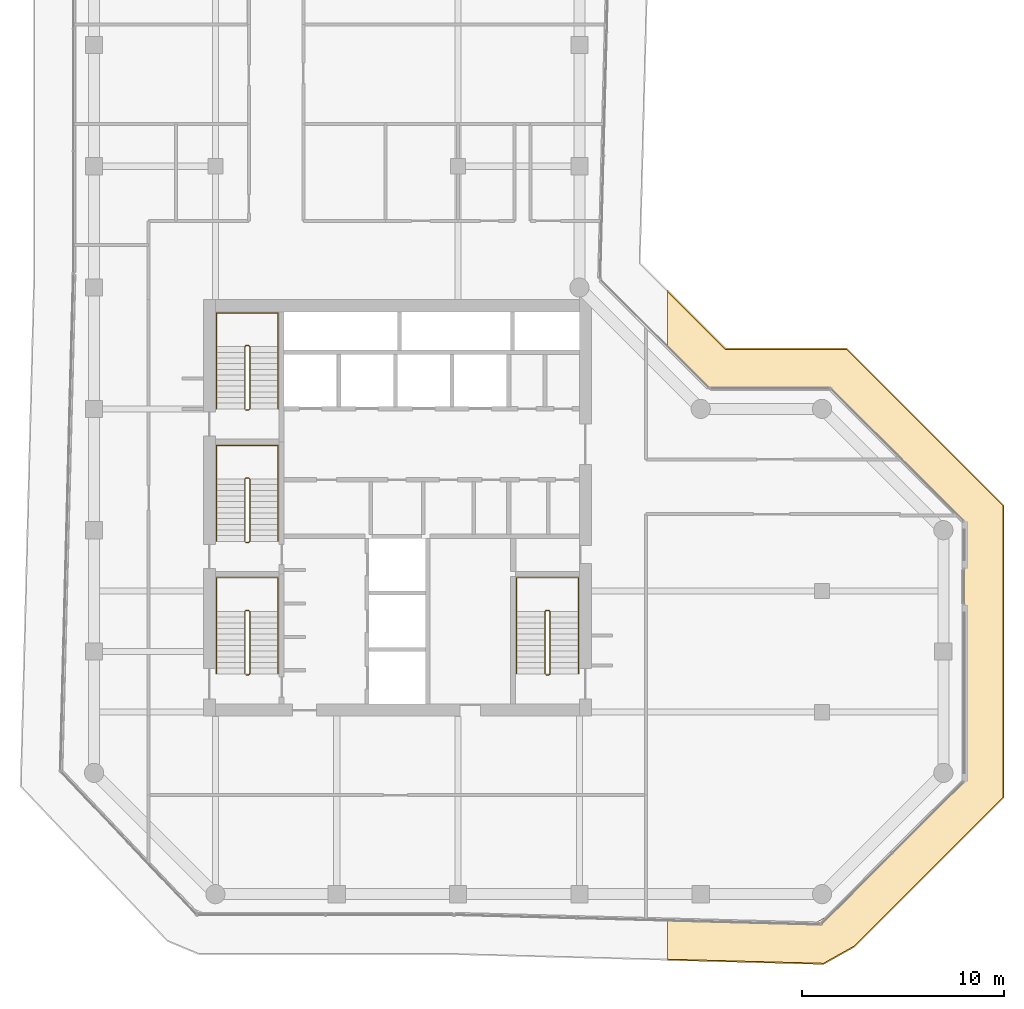
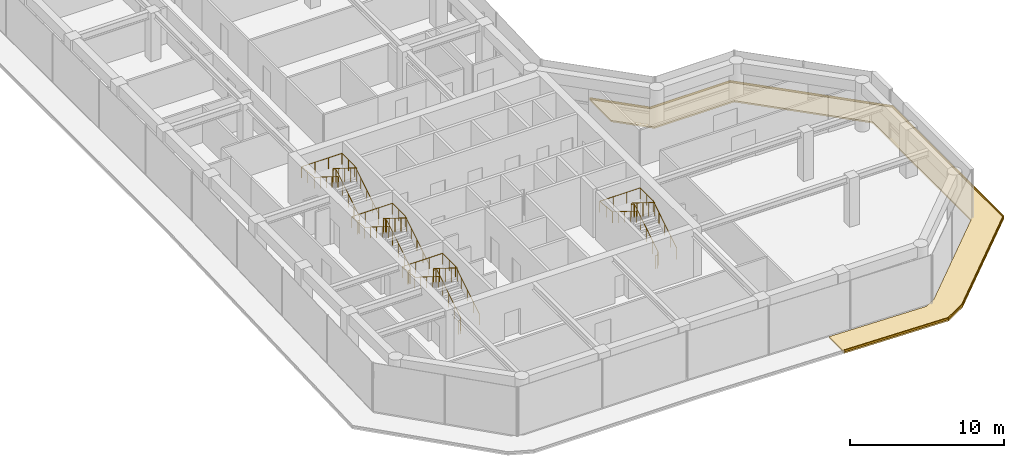
# One storey, part 18 of 19: 8 railings, 2 coverings.
"""IFC4 building model written with IfcOpenShell, lengths in metres."""

from ifc_helpers import new_model, si_unit, direction, frame, origin, origin_2d, place, context, subcontext, project, spatial, polyline, circle, outline, extrude, material, layer, layer_set, type_object, element, save


model = new_model("IFC4")

# Units and contexts
model_context = context("Model", 3, precision=1e-05, world=origin(), true_north=direction((0.0, 1.0)))
body_context = subcontext(model_context, "Body", "Model", "MODEL_VIEW")
ifc_project = project(units=[si_unit("LENGTHUNIT", "METRE"), si_unit("AREAUNIT", "SQUARE_METRE"), si_unit("VOLUMEUNIT", "CUBIC_METRE"), si_unit("PLANEANGLEUNIT", "RADIAN"), si_unit("MASSUNIT", "GRAM", prefix="KILO")], contexts=[model_context])

# Site, building, storey
site_placement = place(None, origin())
site = spatial("IfcSite", under=ifc_project, at=site_placement, CompositionType="ELEMENT")
building_placement = place(site_placement, origin())
building = spatial("IfcBuilding", under=site, at=building_placement, Name="Welwitschia Terrace Campus", CompositionType="ELEMENT")
storey_placement = place(building_placement, frame((0.0, 0.0, 163.39990234375)))
storey = spatial("IfcBuildingStorey", under=building, at=storey_placement, Name="L36", CompositionType="ELEMENT", Elevation=163.39990234375)

# Railings
ifc_material_1 = material(Name="Steel S355", Category="steel")
railing_type_1 = type_object("IfcRailingType", Name="Stair guard 1100", PredefinedType="GUARDRAIL", material=ifc_material_1)
railing_1_placement = place(storey_placement, frame((7.5, 6.85009765625, 0.0)))
element("IfcRailing", 1, at=railing_1_placement, inside=storey, type_object=railing_type_1, Name="L36 S1 stair guard", PredefinedType="GUARDRAIL", context=body_context, shape_type="SweptSolid", body=[
    extrude(circle(Radius=0.02392578125, at=origin_2d()), frame((0.0, 0.0, 1.076171875), z_axis=(1.0, 0.0, 0.0), x_axis=(0.0, 1.0, 0.0)), (0.0, 0.0, 1.0), 0.14990234375),
    extrude(circle(Radius=0.02392578125, at=origin_2d()), frame((0.14990234375, 0.0, 1.076171875), z_axis=(0.265155923931, 0.263862480399, 0.927399011991), x_axis=(-0.705375805398, 0.708833529934, 0.0)), (0.0, 0.0, 1.0), 0.188720703125),
    extrude(circle(Radius=0.02392578125, at=origin_2d()), frame((0.199951171875, 0.0498046875, 1.2509765625), z_axis=(0.0, 0.847998304005, 0.529998940003), x_axis=(-1.0, 0.0, 0.0)), (0.0, 0.0, 1.0), 3.632080078125),
    extrude(circle(Radius=0.02392578125, at=origin_2d()), frame((0.199951171875, 3.1298828125, 3.17626953125), z_axis=(-0.707106781187, 0.707106781187, 0.0), x_axis=(-0.707106781187, -0.707106781187, 0.0)), (0.0, 0.0, 1.0), 0.07080078125),
    extrude(circle(Radius=0.02392578125, at=origin_2d()), frame((0.14990234375, 3.179931640625, 3.17626953125), z_axis=(-1.0, 0.0, 0.0), x_axis=(0.0, -1.0, 0.0)), (0.0, 0.0, 1.0), 0.14990234375),
    extrude(circle(Radius=0.02392578125, at=origin_2d()), frame((0.0, 3.179931640625, 3.17626953125), z_axis=(-0.265065253269, -0.265065253269, 0.927081885822), x_axis=(0.707106781187, -0.707106781187, 0.0)), (0.0, 0.0, 1.0), 0.188720703125),
    extrude(circle(Radius=0.02392578125, at=origin_2d()), frame((-0.050048828125, 3.1298828125, 3.35107421875), z_axis=(0.0, -0.847998304005, 0.529998940003), x_axis=(1.0, 0.0, 0.0)), (0.0, 0.0, 1.0), 3.632080078125),
    extrude(circle(Radius=0.02099609375, at=origin_2d()), origin(), (0.0, 0.0, 1.0), 1.052001953125),
    extrude(circle(Radius=0.02099609375, at=origin_2d()), frame((0.14990234375, 0.0, 0.0)), (0.0, 0.0, 1.0), 1.052001953125),
    extrude(circle(Radius=0.02099609375, at=origin_2d()), frame((0.199951171875, 0.0498046875, 0.175048828125)), (0.0, 0.0, 1.0), 1.052001953125),
    extrude(circle(Radius=0.02099609375, at=origin_2d()), frame((0.199951171875, 0.81982421875, 0.65625)), (0.0, 0.0, 1.0), 1.052001953125),
    extrude(circle(Radius=0.02099609375, at=origin_2d()), frame((0.199951171875, 1.58984375, 1.1376953125)), (0.0, 0.0, 1.0), 1.052001953125),
    extrude(circle(Radius=0.02099609375, at=origin_2d()), frame((0.199951171875, 2.35986328125, 1.618896484375)), (0.0, 0.0, 1.0), 1.052001953125),
    extrude(circle(Radius=0.02099609375, at=origin_2d()), frame((0.199951171875, 3.1298828125, 2.10009765625)), (0.0, 0.0, 1.0), 1.052001953125),
    extrude(circle(Radius=0.02099609375, at=origin_2d()), frame((0.14990234375, 3.179931640625, 2.10009765625)), (0.0, 0.0, 1.0), 1.052001953125),
    extrude(circle(Radius=0.02099609375, at=origin_2d()), frame((0.0, 3.179931640625, 2.10009765625)), (0.0, 0.0, 1.0), 1.052001953125),
    extrude(circle(Radius=0.02099609375, at=origin_2d()), frame((-0.050048828125, 3.1298828125, 2.275146484375)), (0.0, 0.0, 1.0), 1.052001953125),
    extrude(circle(Radius=0.02099609375, at=origin_2d()), frame((-0.050048828125, 2.35986328125, 2.75634765625)), (0.0, 0.0, 1.0), 1.052001953125),
    extrude(circle(Radius=0.02099609375, at=origin_2d()), frame((-0.050048828125, 1.58984375, 3.23779296875)), (0.0, 0.0, 1.0), 1.052001953125),
    extrude(circle(Radius=0.02099609375, at=origin_2d()), frame((-0.050048828125, 0.81982421875, 3.718994140625)), (0.0, 0.0, 1.0), 1.052001953125),
    extrude(circle(Radius=0.02099609375, at=origin_2d()), frame((-0.050048828125, 0.0498046875, 4.2001953125)), (0.0, 0.0, 1.0), 1.052001953125),
])
railing_2_placement = place(storey_placement, frame((7.5, 13.39990234375, 0.0)))
element("IfcRailing", 2, at=railing_2_placement, inside=storey, type_object=railing_type_1, Name="L36 S3 stair guard", PredefinedType="GUARDRAIL", context=body_context, shape_type="SweptSolid", body=[
    extrude(circle(Radius=0.02392578125, at=origin_2d()), frame((0.0, 0.0, 1.076171875), z_axis=(1.0, 0.0, 0.0), x_axis=(0.0, 1.0, 0.0)), (0.0, 0.0, 1.0), 0.14990234375),
    extrude(circle(Radius=0.02392578125, at=origin_2d()), frame((0.14990234375, 0.0, 1.076171875), z_axis=(0.265065253269, 0.265065253269, 0.927081885822), x_axis=(-0.707106781187, 0.707106781187, 0.0)), (0.0, 0.0, 1.0), 0.188720703125),
    extrude(circle(Radius=0.02392578125, at=origin_2d()), frame((0.199951171875, 0.050048828125, 1.2509765625), z_axis=(0.0, 0.847998304005, 0.529998940003), x_axis=(-1.0, 0.0, 0.0)), (0.0, 0.0, 1.0), 3.632080078125),
    extrude(circle(Radius=0.02392578125, at=origin_2d()), frame((0.199951171875, 3.130126953125, 3.17626953125), z_axis=(-0.707106781187, 0.707106781187, 0.0), x_axis=(-0.707106781187, -0.707106781187, 0.0)), (0.0, 0.0, 1.0), 0.07080078125),
    extrude(circle(Radius=0.02392578125, at=origin_2d()), frame((0.14990234375, 3.18017578125, 3.17626953125), z_axis=(-1.0, 0.0, 0.0), x_axis=(0.0, -1.0, 0.0)), (0.0, 0.0, 1.0), 0.14990234375),
    extrude(circle(Radius=0.02392578125, at=origin_2d()), frame((0.0, 3.18017578125, 3.17626953125), z_axis=(-0.265065253269, -0.265065253269, 0.927081885822), x_axis=(0.707106781187, -0.707106781187, 0.0)), (0.0, 0.0, 1.0), 0.188720703125),
    extrude(circle(Radius=0.02392578125, at=origin_2d()), frame((-0.050048828125, 3.130126953125, 3.35107421875), z_axis=(0.0, -0.847998304005, 0.529998940003), x_axis=(1.0, 0.0, 0.0)), (0.0, 0.0, 1.0), 3.632080078125),
    extrude(circle(Radius=0.02099609375, at=origin_2d()), origin(), (0.0, 0.0, 1.0), 1.052001953125),
    extrude(circle(Radius=0.02099609375, at=origin_2d()), frame((0.14990234375, 0.0, 0.0)), (0.0, 0.0, 1.0), 1.052001953125),
    extrude(circle(Radius=0.02099609375, at=origin_2d()), frame((0.199951171875, 0.050048828125, 0.175048828125)), (0.0, 0.0, 1.0), 1.052001953125),
    extrude(circle(Radius=0.02099609375, at=origin_2d()), frame((0.199951171875, 0.820068359375, 0.65625)), (0.0, 0.0, 1.0), 1.052001953125),
    extrude(circle(Radius=0.02099609375, at=origin_2d()), frame((0.199951171875, 1.590087890625, 1.1376953125)), (0.0, 0.0, 1.0), 1.052001953125),
    extrude(circle(Radius=0.02099609375, at=origin_2d()), frame((0.199951171875, 2.360107421875, 1.618896484375)), (0.0, 0.0, 1.0), 1.052001953125),
    extrude(circle(Radius=0.02099609375, at=origin_2d()), frame((0.199951171875, 3.130126953125, 2.10009765625)), (0.0, 0.0, 1.0), 1.052001953125),
    extrude(circle(Radius=0.02099609375, at=origin_2d()), frame((0.14990234375, 3.18017578125, 2.10009765625)), (0.0, 0.0, 1.0), 1.052001953125),
    extrude(circle(Radius=0.02099609375, at=origin_2d()), frame((0.0, 3.18017578125, 2.10009765625)), (0.0, 0.0, 1.0), 1.052001953125),
    extrude(circle(Radius=0.02099609375, at=origin_2d()), frame((-0.050048828125, 3.130126953125, 2.275146484375)), (0.0, 0.0, 1.0), 1.052001953125),
    extrude(circle(Radius=0.02099609375, at=origin_2d()), frame((-0.050048828125, 2.360107421875, 2.75634765625)), (0.0, 0.0, 1.0), 1.052001953125),
    extrude(circle(Radius=0.02099609375, at=origin_2d()), frame((-0.050048828125, 1.590087890625, 3.23779296875)), (0.0, 0.0, 1.0), 1.052001953125),
    extrude(circle(Radius=0.02099609375, at=origin_2d()), frame((-0.050048828125, 0.820068359375, 3.718994140625)), (0.0, 0.0, 1.0), 1.052001953125),
    extrude(circle(Radius=0.02099609375, at=origin_2d()), frame((-0.050048828125, 0.050048828125, 4.2001953125)), (0.0, 0.0, 1.0), 1.052001953125),
])
railing_3_placement = place(storey_placement, frame((7.5, 19.949951171875, 0.0)))
element("IfcRailing", 3, at=railing_3_placement, inside=storey, type_object=railing_type_1, Name="L36 S4 stair guard", PredefinedType="GUARDRAIL", context=body_context, shape_type="SweptSolid", body=[
    extrude(circle(Radius=0.02392578125, at=origin_2d()), frame((0.0, 0.0, 1.076171875), z_axis=(1.0, 0.0, 0.0), x_axis=(0.0, 1.0, 0.0)), (0.0, 0.0, 1.0), 0.14990234375),
    extrude(circle(Radius=0.02392578125, at=origin_2d()), frame((0.14990234375, 0.0, 1.076171875), z_axis=(0.265065253269, 0.265065253269, 0.927081885822), x_axis=(-0.707106781187, 0.707106781187, 0.0)), (0.0, 0.0, 1.0), 0.188720703125),
    extrude(circle(Radius=0.02392578125, at=origin_2d()), frame((0.199951171875, 0.050048828125, 1.2509765625), z_axis=(0.0, 0.847998304005, 0.529998940003), x_axis=(-1.0, 0.0, 0.0)), (0.0, 0.0, 1.0), 3.632080078125),
    extrude(circle(Radius=0.02392578125, at=origin_2d()), frame((0.199951171875, 3.130126953125, 3.17626953125), z_axis=(-0.708833529934, 0.705375805398, 0.0), x_axis=(-0.705375805398, -0.708833529934, 0.0)), (0.0, 0.0, 1.0), 0.070556640625),
    extrude(circle(Radius=0.02392578125, at=origin_2d()), frame((0.14990234375, 3.179931640625, 3.17626953125), z_axis=(-1.0, 0.0, 0.0), x_axis=(0.0, -1.0, 0.0)), (0.0, 0.0, 1.0), 0.14990234375),
    extrude(circle(Radius=0.02392578125, at=origin_2d()), frame((0.0, 3.179931640625, 3.17626953125), z_axis=(-0.265155923931, -0.263862480399, 0.927399011991), x_axis=(0.705375805398, -0.708833529934, 0.0)), (0.0, 0.0, 1.0), 0.188720703125),
    extrude(circle(Radius=0.02392578125, at=origin_2d()), frame((-0.050048828125, 3.130126953125, 3.35107421875), z_axis=(0.0, -0.847998304005, 0.529998940003), x_axis=(1.0, 0.0, 0.0)), (0.0, 0.0, 1.0), 3.632080078125),
    extrude(circle(Radius=0.02099609375, at=origin_2d()), origin(), (0.0, 0.0, 1.0), 1.052001953125),
    extrude(circle(Radius=0.02099609375, at=origin_2d()), frame((0.14990234375, 0.0, 0.0)), (0.0, 0.0, 1.0), 1.052001953125),
    extrude(circle(Radius=0.02099609375, at=origin_2d()), frame((0.199951171875, 0.050048828125, 0.175048828125)), (0.0, 0.0, 1.0), 1.052001953125),
    extrude(circle(Radius=0.02099609375, at=origin_2d()), frame((0.199951171875, 0.820068359375, 0.65625)), (0.0, 0.0, 1.0), 1.052001953125),
    extrude(circle(Radius=0.02099609375, at=origin_2d()), frame((0.199951171875, 1.590087890625, 1.1376953125)), (0.0, 0.0, 1.0), 1.052001953125),
    extrude(circle(Radius=0.02099609375, at=origin_2d()), frame((0.199951171875, 2.360107421875, 1.618896484375)), (0.0, 0.0, 1.0), 1.052001953125),
    extrude(circle(Radius=0.02099609375, at=origin_2d()), frame((0.199951171875, 3.130126953125, 2.10009765625)), (0.0, 0.0, 1.0), 1.052001953125),
    extrude(circle(Radius=0.02099609375, at=origin_2d()), frame((0.14990234375, 3.179931640625, 2.10009765625)), (0.0, 0.0, 1.0), 1.052001953125),
    extrude(circle(Radius=0.02099609375, at=origin_2d()), frame((0.0, 3.179931640625, 2.10009765625)), (0.0, 0.0, 1.0), 1.052001953125),
    extrude(circle(Radius=0.02099609375, at=origin_2d()), frame((-0.050048828125, 3.130126953125, 2.275146484375)), (0.0, 0.0, 1.0), 1.052001953125),
    extrude(circle(Radius=0.02099609375, at=origin_2d()), frame((-0.050048828125, 2.360107421875, 2.75634765625)), (0.0, 0.0, 1.0), 1.052001953125),
    extrude(circle(Radius=0.02099609375, at=origin_2d()), frame((-0.050048828125, 1.590087890625, 3.23779296875)), (0.0, 0.0, 1.0), 1.052001953125),
    extrude(circle(Radius=0.02099609375, at=origin_2d()), frame((-0.050048828125, 0.820068359375, 3.718994140625)), (0.0, 0.0, 1.0), 1.052001953125),
    extrude(circle(Radius=0.02099609375, at=origin_2d()), frame((-0.050048828125, 0.050048828125, 4.2001953125)), (0.0, 0.0, 1.0), 1.052001953125),
])
railing_4_placement = place(storey_placement, frame((22.35009765625, 6.85009765625, 0.0)))
element("IfcRailing", 4, at=railing_4_placement, inside=storey, type_object=railing_type_1, Name="L36 S2 stair guard", PredefinedType="GUARDRAIL", context=body_context, shape_type="SweptSolid", body=[
    extrude(circle(Radius=0.02392578125, at=origin_2d()), frame((0.0, 0.0, 1.076171875), z_axis=(1.0, 0.0, 0.0), x_axis=(0.0, 1.0, 0.0)), (0.0, 0.0, 1.0), 0.14990234375),
    extrude(circle(Radius=0.02392578125, at=origin_2d()), frame((0.14990234375, 0.0, 1.076171875), z_axis=(0.265155923931, 0.263862480399, 0.927399011991), x_axis=(-0.705375805398, 0.708833529934, 0.0)), (0.0, 0.0, 1.0), 0.188720703125),
    extrude(circle(Radius=0.02392578125, at=origin_2d()), frame((0.199951171875, 0.0498046875, 1.2509765625), z_axis=(0.0, 0.847998304005, 0.529998940003), x_axis=(-1.0, 0.0, 0.0)), (0.0, 0.0, 1.0), 3.632080078125),
    extrude(circle(Radius=0.02392578125, at=origin_2d()), frame((0.199951171875, 3.1298828125, 3.17626953125), z_axis=(-0.707106781187, 0.707106781187, 0.0), x_axis=(-0.707106781187, -0.707106781187, 0.0)), (0.0, 0.0, 1.0), 0.07080078125),
    extrude(circle(Radius=0.02392578125, at=origin_2d()), frame((0.14990234375, 3.179931640625, 3.17626953125), z_axis=(-1.0, 0.0, 0.0), x_axis=(0.0, -1.0, 0.0)), (0.0, 0.0, 1.0), 0.14990234375),
    extrude(circle(Radius=0.02392578125, at=origin_2d()), frame((0.0, 3.179931640625, 3.17626953125), z_axis=(-0.265065253269, -0.265065253269, 0.927081885822), x_axis=(0.707106781187, -0.707106781187, 0.0)), (0.0, 0.0, 1.0), 0.188720703125),
    extrude(circle(Radius=0.02392578125, at=origin_2d()), frame((-0.050048828125, 3.1298828125, 3.35107421875), z_axis=(0.0, -0.847998304005, 0.529998940003), x_axis=(1.0, 0.0, 0.0)), (0.0, 0.0, 1.0), 3.632080078125),
    extrude(circle(Radius=0.02099609375, at=origin_2d()), origin(), (0.0, 0.0, 1.0), 1.052001953125),
    extrude(circle(Radius=0.02099609375, at=origin_2d()), frame((0.14990234375, 0.0, 0.0)), (0.0, 0.0, 1.0), 1.052001953125),
    extrude(circle(Radius=0.02099609375, at=origin_2d()), frame((0.199951171875, 0.0498046875, 0.175048828125)), (0.0, 0.0, 1.0), 1.052001953125),
    extrude(circle(Radius=0.02099609375, at=origin_2d()), frame((0.199951171875, 0.81982421875, 0.65625)), (0.0, 0.0, 1.0), 1.052001953125),
    extrude(circle(Radius=0.02099609375, at=origin_2d()), frame((0.199951171875, 1.58984375, 1.1376953125)), (0.0, 0.0, 1.0), 1.052001953125),
    extrude(circle(Radius=0.02099609375, at=origin_2d()), frame((0.199951171875, 2.35986328125, 1.618896484375)), (0.0, 0.0, 1.0), 1.052001953125),
    extrude(circle(Radius=0.02099609375, at=origin_2d()), frame((0.199951171875, 3.1298828125, 2.10009765625)), (0.0, 0.0, 1.0), 1.052001953125),
    extrude(circle(Radius=0.02099609375, at=origin_2d()), frame((0.14990234375, 3.179931640625, 2.10009765625)), (0.0, 0.0, 1.0), 1.052001953125),
    extrude(circle(Radius=0.02099609375, at=origin_2d()), frame((0.0, 3.179931640625, 2.10009765625)), (0.0, 0.0, 1.0), 1.052001953125),
    extrude(circle(Radius=0.02099609375, at=origin_2d()), frame((-0.050048828125, 3.1298828125, 2.275146484375)), (0.0, 0.0, 1.0), 1.052001953125),
    extrude(circle(Radius=0.02099609375, at=origin_2d()), frame((-0.050048828125, 2.35986328125, 2.75634765625)), (0.0, 0.0, 1.0), 1.052001953125),
    extrude(circle(Radius=0.02099609375, at=origin_2d()), frame((-0.050048828125, 1.58984375, 3.23779296875)), (0.0, 0.0, 1.0), 1.052001953125),
    extrude(circle(Radius=0.02099609375, at=origin_2d()), frame((-0.050048828125, 0.81982421875, 3.718994140625)), (0.0, 0.0, 1.0), 1.052001953125),
    extrude(circle(Radius=0.02099609375, at=origin_2d()), frame((-0.050048828125, 0.0498046875, 4.2001953125)), (0.0, 0.0, 1.0), 1.052001953125),
])
ifc_material_2 = material(Name="Steel S355", Category="steel")
railing_type_2 = type_object("IfcRailingType", Name="Stair handrail 900", PredefinedType="HANDRAIL", material=ifc_material_2)
railing_5_placement = place(storey_placement, frame((9.10009765625, 6.89990234375, 0.175048828125)))
element("IfcRailing", 5, at=railing_5_placement, inside=storey, type_object=railing_type_2, Name="L36 S1 stair handrail", PredefinedType="HANDRAIL", context=body_context, shape_type="SweptSolid", body=[
    extrude(circle(Radius=0.02392578125, at=origin_2d()), frame((0.0, 0.0, 0.8759765625), z_axis=(0.0, 0.847998304005, 0.529998940003), x_axis=(-1.0, 0.0, 0.0)), (0.0, 0.0, 1.0), 3.632080078125),
    extrude(circle(Radius=0.02392578125, at=origin_2d()), frame((0.0, 3.080078125, 2.80078125), z_axis=(0.0, 1.0, 0.0), x_axis=(-1.0, 0.0, 0.0)), (0.0, 0.0, 1.0), 1.669921875),
    extrude(circle(Radius=0.02392578125, at=origin_2d()), frame((0.0, 4.75, 2.80078125), z_axis=(-1.0, 0.0, 0.0), x_axis=(0.0, -1.0, 0.0)), (0.0, 0.0, 1.0), 3.050048828125),
    extrude(circle(Radius=0.02392578125, at=origin_2d()), frame((-3.050048828125, 4.75, 2.80078125), z_axis=(0.0, -0.99455077262, 0.104253348533), x_axis=(1.0, 0.0, 0.0)), (0.0, 0.0, 1.0), 1.678955078125),
    extrude(circle(Radius=0.02392578125, at=origin_2d()), frame((-3.050048828125, 3.080078125, 2.97607421875), z_axis=(0.0, -0.847998304005, 0.529998940003), x_axis=(1.0, 0.0, 0.0)), (0.0, 0.0, 1.0), 3.632080078125),
    extrude(circle(Radius=0.02099609375, at=origin_2d()), origin(), (0.0, 0.0, 1.0), 0.851806640625),
    extrude(circle(Radius=0.02099609375, at=origin_2d()), frame((0.0, 0.77001953125, 0.481201171875)), (0.0, 0.0, 1.0), 0.851806640625),
    extrude(circle(Radius=0.02099609375, at=origin_2d()), frame((0.0, 1.5400390625, 0.96240234375)), (0.0, 0.0, 1.0), 0.851806640625),
    extrude(circle(Radius=0.02099609375, at=origin_2d()), frame((0.0, 2.31005859375, 1.44384765625)), (0.0, 0.0, 1.0), 0.851806640625),
    extrude(circle(Radius=0.02099609375, at=origin_2d()), frame((0.0, 3.080078125, 1.925048828125)), (0.0, 0.0, 1.0), 0.851806640625),
    extrude(circle(Radius=0.02099609375, at=origin_2d()), frame((0.0, 3.9150390625, 1.925048828125)), (0.0, 0.0, 1.0), 0.851806640625),
    extrude(circle(Radius=0.02099609375, at=origin_2d()), frame((0.0, 4.75, 1.925048828125)), (0.0, 0.0, 1.0), 0.851806640625),
    extrude(circle(Radius=0.02099609375, at=origin_2d()), frame((-1.0166015625, 4.75, 1.925048828125)), (0.0, 0.0, 1.0), 0.851806640625),
    extrude(circle(Radius=0.02099609375, at=origin_2d()), frame((-2.033447265625, 4.75, 1.925048828125)), (0.0, 0.0, 1.0), 0.851806640625),
    extrude(circle(Radius=0.02099609375, at=origin_2d()), frame((-3.050048828125, 4.75, 1.925048828125)), (0.0, 0.0, 1.0), 0.851806640625),
    extrude(circle(Radius=0.02099609375, at=origin_2d()), frame((-3.050048828125, 3.9150390625, 2.0126953125)), (0.0, 0.0, 1.0), 0.851806640625),
    extrude(circle(Radius=0.02099609375, at=origin_2d()), frame((-3.050048828125, 3.080078125, 2.10009765625)), (0.0, 0.0, 1.0), 0.851806640625),
    extrude(circle(Radius=0.02099609375, at=origin_2d()), frame((-3.050048828125, 2.31005859375, 2.581298828125)), (0.0, 0.0, 1.0), 0.851806640625),
    extrude(circle(Radius=0.02099609375, at=origin_2d()), frame((-3.050048828125, 1.5400390625, 3.0625)), (0.0, 0.0, 1.0), 0.851806640625),
    extrude(circle(Radius=0.02099609375, at=origin_2d()), frame((-3.050048828125, 0.77001953125, 3.5439453125)), (0.0, 0.0, 1.0), 0.851806640625),
    extrude(circle(Radius=0.02099609375, at=origin_2d()), frame((-3.050048828125, 0.0, 4.025146484375)), (0.0, 0.0, 1.0), 0.851806640625),
])
railing_6_placement = place(storey_placement, frame((9.10009765625, 13.449951171875, 0.175048828125)))
element("IfcRailing", 6, at=railing_6_placement, inside=storey, type_object=railing_type_2, Name="L36 S3 stair handrail", PredefinedType="HANDRAIL", context=body_context, shape_type="SweptSolid", body=[
    extrude(circle(Radius=0.02392578125, at=origin_2d()), frame((0.0, 0.0, 0.8759765625), z_axis=(0.0, 0.847998304005, 0.529998940003), x_axis=(-1.0, 0.0, 0.0)), (0.0, 0.0, 1.0), 3.632080078125),
    extrude(circle(Radius=0.02392578125, at=origin_2d()), frame((0.0, 3.080078125, 2.80078125), z_axis=(0.0, 1.0, 0.0), x_axis=(-1.0, 0.0, 0.0)), (0.0, 0.0, 1.0), 1.669921875),
    extrude(circle(Radius=0.02392578125, at=origin_2d()), frame((0.0, 4.75, 2.80078125), z_axis=(-1.0, 0.0, 0.0), x_axis=(0.0, -1.0, 0.0)), (0.0, 0.0, 1.0), 3.050048828125),
    extrude(circle(Radius=0.02392578125, at=origin_2d()), frame((-3.050048828125, 4.75, 2.80078125), z_axis=(0.0, -0.99455077262, 0.104253348533), x_axis=(1.0, 0.0, 0.0)), (0.0, 0.0, 1.0), 1.678955078125),
    extrude(circle(Radius=0.02392578125, at=origin_2d()), frame((-3.050048828125, 3.080078125, 2.97607421875), z_axis=(0.0, -0.847998304005, 0.529998940003), x_axis=(1.0, 0.0, 0.0)), (0.0, 0.0, 1.0), 3.632080078125),
    extrude(circle(Radius=0.02099609375, at=origin_2d()), origin(), (0.0, 0.0, 1.0), 0.851806640625),
    extrude(circle(Radius=0.02099609375, at=origin_2d()), frame((0.0, 0.77001953125, 0.481201171875)), (0.0, 0.0, 1.0), 0.851806640625),
    extrude(circle(Radius=0.02099609375, at=origin_2d()), frame((0.0, 1.5400390625, 0.96240234375)), (0.0, 0.0, 1.0), 0.851806640625),
    extrude(circle(Radius=0.02099609375, at=origin_2d()), frame((0.0, 2.31005859375, 1.44384765625)), (0.0, 0.0, 1.0), 0.851806640625),
    extrude(circle(Radius=0.02099609375, at=origin_2d()), frame((0.0, 3.080078125, 1.925048828125)), (0.0, 0.0, 1.0), 0.851806640625),
    extrude(circle(Radius=0.02099609375, at=origin_2d()), frame((0.0, 3.9150390625, 1.925048828125)), (0.0, 0.0, 1.0), 0.851806640625),
    extrude(circle(Radius=0.02099609375, at=origin_2d()), frame((0.0, 4.75, 1.925048828125)), (0.0, 0.0, 1.0), 0.851806640625),
    extrude(circle(Radius=0.02099609375, at=origin_2d()), frame((-1.0166015625, 4.75, 1.925048828125)), (0.0, 0.0, 1.0), 0.851806640625),
    extrude(circle(Radius=0.02099609375, at=origin_2d()), frame((-2.033447265625, 4.75, 1.925048828125)), (0.0, 0.0, 1.0), 0.851806640625),
    extrude(circle(Radius=0.02099609375, at=origin_2d()), frame((-3.050048828125, 4.75, 1.925048828125)), (0.0, 0.0, 1.0), 0.851806640625),
    extrude(circle(Radius=0.02099609375, at=origin_2d()), frame((-3.050048828125, 3.9150390625, 2.0126953125)), (0.0, 0.0, 1.0), 0.851806640625),
    extrude(circle(Radius=0.02099609375, at=origin_2d()), frame((-3.050048828125, 3.080078125, 2.10009765625)), (0.0, 0.0, 1.0), 0.851806640625),
    extrude(circle(Radius=0.02099609375, at=origin_2d()), frame((-3.050048828125, 2.31005859375, 2.581298828125)), (0.0, 0.0, 1.0), 0.851806640625),
    extrude(circle(Radius=0.02099609375, at=origin_2d()), frame((-3.050048828125, 1.5400390625, 3.0625)), (0.0, 0.0, 1.0), 0.851806640625),
    extrude(circle(Radius=0.02099609375, at=origin_2d()), frame((-3.050048828125, 0.77001953125, 3.5439453125)), (0.0, 0.0, 1.0), 0.851806640625),
    extrude(circle(Radius=0.02099609375, at=origin_2d()), frame((-3.050048828125, 0.0, 4.025146484375)), (0.0, 0.0, 1.0), 0.851806640625),
])
railing_7_placement = place(storey_placement, frame((9.10009765625, 20.0, 0.175048828125)))
element("IfcRailing", 7, at=railing_7_placement, inside=storey, type_object=railing_type_2, Name="L36 S4 stair handrail", PredefinedType="HANDRAIL", context=body_context, shape_type="SweptSolid", body=[
    extrude(circle(Radius=0.02392578125, at=origin_2d()), frame((0.0, 0.0, 0.8759765625), z_axis=(0.0, 0.847998304005, 0.529998940003), x_axis=(-1.0, 0.0, 0.0)), (0.0, 0.0, 1.0), 3.632080078125),
    extrude(circle(Radius=0.02392578125, at=origin_2d()), frame((0.0, 3.080078125, 2.80078125), z_axis=(0.0, 1.0, 0.0), x_axis=(-1.0, 0.0, 0.0)), (0.0, 0.0, 1.0), 1.669921875),
    extrude(circle(Radius=0.02392578125, at=origin_2d()), frame((0.0, 4.75, 2.80078125), z_axis=(-1.0, 0.0, 0.0), x_axis=(0.0, -1.0, 0.0)), (0.0, 0.0, 1.0), 3.050048828125),
    extrude(circle(Radius=0.02392578125, at=origin_2d()), frame((-3.050048828125, 4.75, 2.80078125), z_axis=(0.0, -0.99455077262, 0.104253348533), x_axis=(1.0, 0.0, 0.0)), (0.0, 0.0, 1.0), 1.678955078125),
    extrude(circle(Radius=0.02392578125, at=origin_2d()), frame((-3.050048828125, 3.080078125, 2.97607421875), z_axis=(0.0, -0.847998304005, 0.529998940003), x_axis=(1.0, 0.0, 0.0)), (0.0, 0.0, 1.0), 3.632080078125),
    extrude(circle(Radius=0.02099609375, at=origin_2d()), origin(), (0.0, 0.0, 1.0), 0.851806640625),
    extrude(circle(Radius=0.02099609375, at=origin_2d()), frame((0.0, 0.77001953125, 0.481201171875)), (0.0, 0.0, 1.0), 0.851806640625),
    extrude(circle(Radius=0.02099609375, at=origin_2d()), frame((0.0, 1.5400390625, 0.96240234375)), (0.0, 0.0, 1.0), 0.851806640625),
    extrude(circle(Radius=0.02099609375, at=origin_2d()), frame((0.0, 2.31005859375, 1.44384765625)), (0.0, 0.0, 1.0), 0.851806640625),
    extrude(circle(Radius=0.02099609375, at=origin_2d()), frame((0.0, 3.080078125, 1.925048828125)), (0.0, 0.0, 1.0), 0.851806640625),
    extrude(circle(Radius=0.02099609375, at=origin_2d()), frame((0.0, 3.9150390625, 1.925048828125)), (0.0, 0.0, 1.0), 0.851806640625),
    extrude(circle(Radius=0.02099609375, at=origin_2d()), frame((0.0, 4.75, 1.925048828125)), (0.0, 0.0, 1.0), 0.851806640625),
    extrude(circle(Radius=0.02099609375, at=origin_2d()), frame((-1.0166015625, 4.75, 1.925048828125)), (0.0, 0.0, 1.0), 0.851806640625),
    extrude(circle(Radius=0.02099609375, at=origin_2d()), frame((-2.033447265625, 4.75, 1.925048828125)), (0.0, 0.0, 1.0), 0.851806640625),
    extrude(circle(Radius=0.02099609375, at=origin_2d()), frame((-3.050048828125, 4.75, 1.925048828125)), (0.0, 0.0, 1.0), 0.851806640625),
    extrude(circle(Radius=0.02099609375, at=origin_2d()), frame((-3.050048828125, 3.9150390625, 2.0126953125)), (0.0, 0.0, 1.0), 0.851806640625),
    extrude(circle(Radius=0.02099609375, at=origin_2d()), frame((-3.050048828125, 3.080078125, 2.10009765625)), (0.0, 0.0, 1.0), 0.851806640625),
    extrude(circle(Radius=0.02099609375, at=origin_2d()), frame((-3.050048828125, 2.31005859375, 2.581298828125)), (0.0, 0.0, 1.0), 0.851806640625),
    extrude(circle(Radius=0.02099609375, at=origin_2d()), frame((-3.050048828125, 1.5400390625, 3.0625)), (0.0, 0.0, 1.0), 0.851806640625),
    extrude(circle(Radius=0.02099609375, at=origin_2d()), frame((-3.050048828125, 0.77001953125, 3.5439453125)), (0.0, 0.0, 1.0), 0.851806640625),
    extrude(circle(Radius=0.02099609375, at=origin_2d()), frame((-3.050048828125, 0.0, 4.025146484375)), (0.0, 0.0, 1.0), 0.851806640625),
])
railing_8_placement = place(storey_placement, frame((23.949951171875, 6.89990234375, 0.175048828125)))
element("IfcRailing", 8, at=railing_8_placement, inside=storey, type_object=railing_type_2, Name="L36 S2 stair handrail", PredefinedType="HANDRAIL", context=body_context, shape_type="SweptSolid", body=[
    extrude(circle(Radius=0.02392578125, at=origin_2d()), frame((0.0, 0.0, 0.8759765625), z_axis=(0.0, 0.847998304005, 0.529998940003), x_axis=(-1.0, 0.0, 0.0)), (0.0, 0.0, 1.0), 3.632080078125),
    extrude(circle(Radius=0.02392578125, at=origin_2d()), frame((0.0, 3.080078125, 2.80078125), z_axis=(0.0, 1.0, 0.0), x_axis=(-1.0, 0.0, 0.0)), (0.0, 0.0, 1.0), 1.669921875),
    extrude(circle(Radius=0.02392578125, at=origin_2d()), frame((0.0, 4.75, 2.80078125), z_axis=(-1.0, 0.0, 0.0), x_axis=(0.0, -1.0, 0.0)), (0.0, 0.0, 1.0), 3.050048828125),
    extrude(circle(Radius=0.02392578125, at=origin_2d()), frame((-3.050048828125, 4.75, 2.80078125), z_axis=(0.0, -0.99455077262, 0.104253348533), x_axis=(1.0, 0.0, 0.0)), (0.0, 0.0, 1.0), 1.678955078125),
    extrude(circle(Radius=0.02392578125, at=origin_2d()), frame((-3.050048828125, 3.080078125, 2.97607421875), z_axis=(0.0, -0.847998304005, 0.529998940003), x_axis=(1.0, 0.0, 0.0)), (0.0, 0.0, 1.0), 3.632080078125),
    extrude(circle(Radius=0.02099609375, at=origin_2d()), origin(), (0.0, 0.0, 1.0), 0.851806640625),
    extrude(circle(Radius=0.02099609375, at=origin_2d()), frame((0.0, 0.77001953125, 0.481201171875)), (0.0, 0.0, 1.0), 0.851806640625),
    extrude(circle(Radius=0.02099609375, at=origin_2d()), frame((0.0, 1.5400390625, 0.96240234375)), (0.0, 0.0, 1.0), 0.851806640625),
    extrude(circle(Radius=0.02099609375, at=origin_2d()), frame((0.0, 2.31005859375, 1.44384765625)), (0.0, 0.0, 1.0), 0.851806640625),
    extrude(circle(Radius=0.02099609375, at=origin_2d()), frame((0.0, 3.080078125, 1.925048828125)), (0.0, 0.0, 1.0), 0.851806640625),
    extrude(circle(Radius=0.02099609375, at=origin_2d()), frame((0.0, 3.9150390625, 1.925048828125)), (0.0, 0.0, 1.0), 0.851806640625),
    extrude(circle(Radius=0.02099609375, at=origin_2d()), frame((0.0, 4.75, 1.925048828125)), (0.0, 0.0, 1.0), 0.851806640625),
    extrude(circle(Radius=0.02099609375, at=origin_2d()), frame((-1.0166015625, 4.75, 1.925048828125)), (0.0, 0.0, 1.0), 0.851806640625),
    extrude(circle(Radius=0.02099609375, at=origin_2d()), frame((-2.033447265625, 4.75, 1.925048828125)), (0.0, 0.0, 1.0), 0.851806640625),
    extrude(circle(Radius=0.02099609375, at=origin_2d()), frame((-3.050048828125, 4.75, 1.925048828125)), (0.0, 0.0, 1.0), 0.851806640625),
    extrude(circle(Radius=0.02099609375, at=origin_2d()), frame((-3.050048828125, 3.9150390625, 2.0126953125)), (0.0, 0.0, 1.0), 0.851806640625),
    extrude(circle(Radius=0.02099609375, at=origin_2d()), frame((-3.050048828125, 3.080078125, 2.10009765625)), (0.0, 0.0, 1.0), 0.851806640625),
    extrude(circle(Radius=0.02099609375, at=origin_2d()), frame((-3.050048828125, 2.31005859375, 2.581298828125)), (0.0, 0.0, 1.0), 0.851806640625),
    extrude(circle(Radius=0.02099609375, at=origin_2d()), frame((-3.050048828125, 1.5400390625, 3.0625)), (0.0, 0.0, 1.0), 0.851806640625),
    extrude(circle(Radius=0.02099609375, at=origin_2d()), frame((-3.050048828125, 0.77001953125, 3.5439453125)), (0.0, 0.0, 1.0), 0.851806640625),
    extrude(circle(Radius=0.02099609375, at=origin_2d()), frame((-3.050048828125, 0.0, 4.025146484375)), (0.0, 0.0, 1.0), 0.851806640625),
])

# Coverings
ifc_material_3 = material(Name="Bronze anodised aluminium", Category="aluminium")
ifc_layer_1 = layer(ifc_material_3, 0.1201171875)
ifc_layer_set_1 = layer_set([ifc_layer_1], Name="Bronze anodised aluminium")
covering_type_1 = type_object("IfcCoveringType", Name="Sunshade band 2000", PredefinedType="USERDEFINED", material=ifc_layer_set_1)
covering_1_placement = place(storey_placement, frame((0.0, 0.0, -0.25)))
element("IfcCovering", 9, at=covering_1_placement, inside=storey, type_object=covering_type_1, Name="SUNSHADE L36.SE0", ObjectType="SUNSHADE", PredefinedType="USERDEFINED", context=body_context, shape_type="SweptSolid", body=[
    extrude(outline(polyline([(31.24267578125, 23.0), (37.24267578125, 23.0), (45.0, 15.24267578125), (45.0, 0.75732421875), (37.633544921875, -6.609130859375), (36.083251953125, -7.4794921875), (28.355712890625, -7.277099609375), (28.355712890625, -5.2763671875), (35.584716796875, -5.465576171875), (36.414306640625, -5.0), (43.0, 1.585693359375), (43.0, 14.414306640625), (36.414306640625, 21.0), (30.414306640625, 21.0), (28.355712890625, 23.05859375), (28.355712890625, 25.886962890625), (31.24267578125, 23.0)])), origin(), (0.0, 0.0, 1.0), 0.1201171875),
])
ifc_material_4 = material(Name="Bronze anodised aluminium", Category="aluminium")
ifc_layer_2 = layer(ifc_material_4, 0.06005859375)
ifc_layer_set_2 = layer_set([ifc_layer_2], Name="Bronze anodised aluminium")
covering_type_2 = type_object("IfcCoveringType", Name="Sunshade lip 60", PredefinedType="USERDEFINED", material=ifc_layer_set_2)
covering_2_placement = place(storey_placement, frame((0.0, 0.0, -0.1298828125)))
element("IfcCovering", 10, at=covering_2_placement, inside=storey, type_object=covering_type_2, Name="SUNSHADE LIP L36.SE0.0", ObjectType="SUNSHADE", PredefinedType="USERDEFINED", context=body_context, shape_type="SweptSolid", body=[
    extrude(outline(polyline([(37.24267578125, 23.0), (45.0, 15.24267578125), (45.0, 0.75732421875), (37.633544921875, -6.609130859375), (36.083251953125, -7.4794921875), (28.355712890625, -7.277099609375), (28.355712890625, -7.217041015625), (36.068359375, -7.4189453125), (37.596923828125, -6.560791015625), (44.93994140625, 0.7822265625), (44.93994140625, 15.2177734375), (37.2177734375, 22.93994140625), (31.2177734375, 22.93994140625), (28.355712890625, 25.802001953125), (28.355712890625, 25.886962890625), (31.24267578125, 23.0), (37.24267578125, 23.0)])), origin(), (0.0, 0.0, 1.0), 0.1298828125),
])

save(model, "model.ifc")
